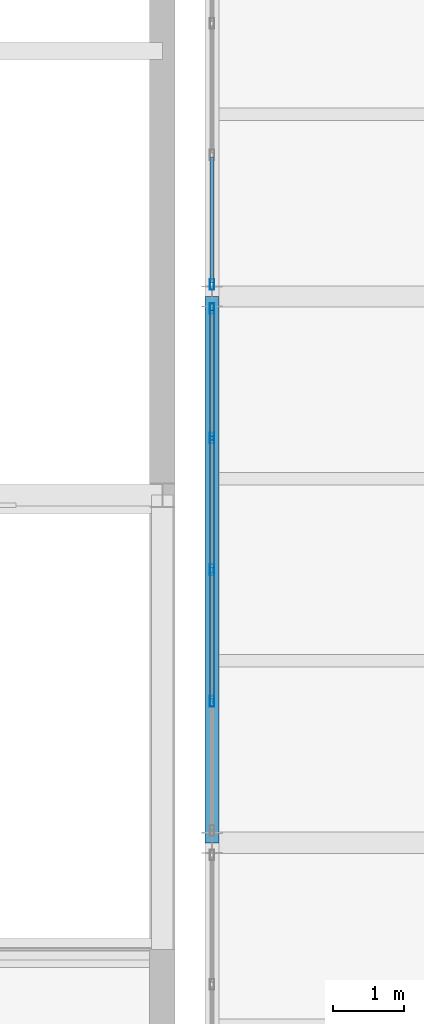
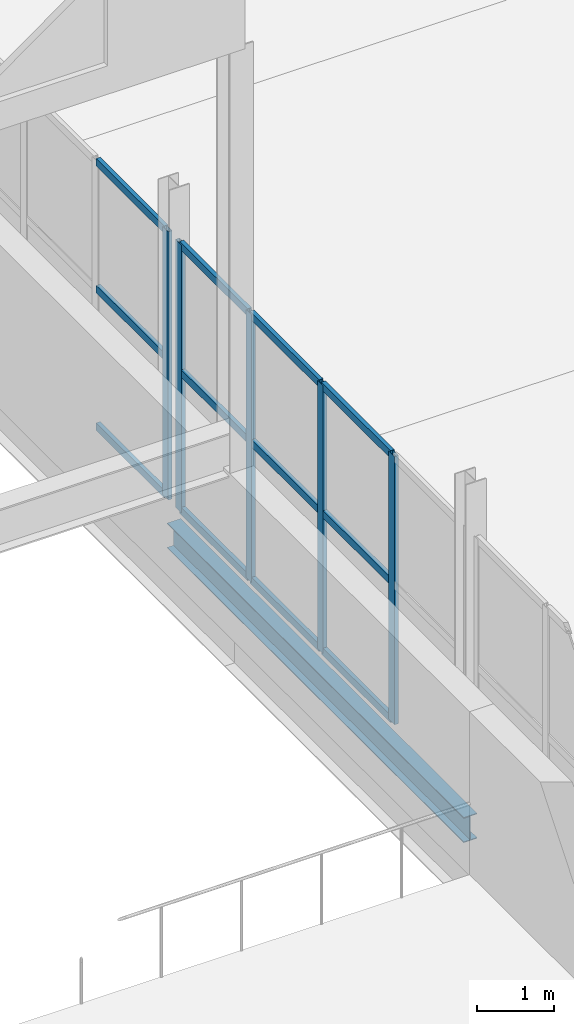
# One storey, part 122 of 218: 17 members, 1 beam, 2 elements without a shape of their own.
"""IFC4 building model written with IfcOpenShell, lengths in metres."""

from ifc_helpers import new_model, si_unit, direction, frame, origin, origin_2d, place, context, subcontext, project, spatial, hollow_rectangle, i_section, extrude, material, material_profile, profile_set, type_object, element, aggregate, save


model = new_model("IFC4")

# Units and contexts
model_context = context("Model", 3, precision=1e-05, world=origin(), true_north=direction((0.0, 1.0)))
body_context = subcontext(model_context, "Body", "Model", "MODEL_VIEW")
ifc_project = project(units=[si_unit("LENGTHUNIT", "METRE"), si_unit("AREAUNIT", "SQUARE_METRE"), si_unit("VOLUMEUNIT", "CUBIC_METRE"), si_unit("PLANEANGLEUNIT", "RADIAN"), si_unit("MASSUNIT", "GRAM", prefix="KILO")], contexts=[model_context])

# Site, building, storey
site_placement = place(None, origin())
site = spatial("IfcSite", under=ifc_project, at=site_placement, CompositionType="ELEMENT")
building_placement = place(site_placement, origin())
building = spatial("IfcBuilding", under=site, at=building_placement, Name="Kazenagashi Tramway Depot", CompositionType="ELEMENT")
storey_placement = place(building_placement, frame((0.0, 0.0, 6.0)))
storey = spatial("IfcBuildingStorey", under=building, at=storey_placement, Name="L02", CompositionType="ELEMENT", Elevation=6.0)

# Curtain wall, members
ifc_material_1 = material(Name="Anodised Aluminium and Low-E Glazing", Category="aluminium")
curtain_wall_type = type_object("IfcCurtainWallType", Name="CW-31", PredefinedType="USERDEFINED", material=ifc_material_1)
curtain_wall_1_placement = place(storey_placement, origin())
curtain_wall_1 = element("IfcCurtainWall", 1, at=curtain_wall_1_placement, inside=storey, type_object=curtain_wall_type, Name="Industrial Glazed Screen CW-31 CW-0165", ObjectType="GLAZED SCREEN", PredefinedType="USERDEFINED")
ifc_material_2 = material(Name="Anodised Aluminium", Category="aluminium")
ifc_material_profile_1 = material_profile(ifc_material_2, hollow_rectangle(XDim=0.06, YDim=0.15, WallThickness=0.004, at=origin_2d()), Name="RHS-150x60x4")
ifc_profile_set_1 = profile_set([ifc_material_profile_1], Name="Anodised Aluminium")
member_type_1 = type_object("IfcMemberType", Name="ML-01", PredefinedType="MULLION", material=ifc_profile_set_1)
member_1_placement = place(storey_placement, frame((146.3, 32.795, 0.0), z_axis=(0.0, 0.0, 1.0), x_axis=(-1.0, 0.0, 0.0)))
member_1 = element("IfcMember", 2, at=member_1_placement, type_object=member_type_1, Name="CW-31 mullion 2", PredefinedType="MULLION", context=body_context, shape_type="SweptSolid", body=[
    extrude(hollow_rectangle(XDim=0.06, YDim=0.15, WallThickness=0.004, at=origin_2d()), origin(), (0.0, 0.0, 1.0), 4.25),
])
member_2_placement = place(storey_placement, frame((146.3, 34.65, 0.0), z_axis=(0.0, 0.0, 1.0), x_axis=(-1.0, 0.0, 0.0)))
member_2 = element("IfcMember", 3, at=member_2_placement, type_object=member_type_1, Name="CW-31 mullion 3", PredefinedType="MULLION", context=body_context, shape_type="SweptSolid", body=[
    extrude(hollow_rectangle(XDim=0.06, YDim=0.15, WallThickness=0.004, at=origin_2d()), origin(), (0.0, 0.0, 1.0), 4.25),
])
member_3_placement = place(storey_placement, frame((146.3, 36.505, 0.0), z_axis=(0.0, 0.0, 1.0), x_axis=(-1.0, 0.0, 0.0)))
member_3 = element("IfcMember", 4, at=member_3_placement, type_object=member_type_1, Name="CW-31 mullion 4", PredefinedType="MULLION", context=body_context, shape_type="SweptSolid", body=[
    extrude(hollow_rectangle(XDim=0.06, YDim=0.15, WallThickness=0.004, at=origin_2d()), origin(), (0.0, 0.0, 1.0), 4.25),
])
member_4_placement = place(storey_placement, frame((146.3, 38.33, 0.0), z_axis=(0.0, 0.0, 1.0), x_axis=(-1.0, 0.0, 0.0)))
member_4 = element("IfcMember", 5, at=member_4_placement, type_object=member_type_1, Name="CW-31 mullion 5", PredefinedType="MULLION", context=body_context, shape_type="SweptSolid", body=[
    extrude(hollow_rectangle(XDim=0.06, YDim=0.15, WallThickness=0.004, at=origin_2d()), origin(), (0.0, 0.0, 1.0), 4.25),
])

# Curtain wall, member
curtain_wall_2_placement = place(storey_placement, origin())
curtain_wall_2 = element("IfcCurtainWall", 6, at=curtain_wall_2_placement, inside=storey, type_object=curtain_wall_type, Name="Industrial Glazed Screen CW-31 CW-0167", ObjectType="GLAZED SCREEN", PredefinedType="USERDEFINED")
member_5_placement = place(storey_placement, frame((146.3, 38.67, 0.0), z_axis=(0.0, 0.0, 1.0), x_axis=(-1.0, 0.0, 0.0)))
member_5 = element("IfcMember", 7, at=member_5_placement, type_object=member_type_1, Name="CW-31 mullion 1", PredefinedType="MULLION", context=body_context, shape_type="SweptSolid", body=[
    extrude(hollow_rectangle(XDim=0.06, YDim=0.15, WallThickness=0.004, at=origin_2d()), origin(), (0.0, 0.0, 1.0), 4.25),
])

# Beam
ifc_material_3 = material(Name="Steel SN490B", Category="steel")
ifc_material_profile_2 = material_profile(ifc_material_3, i_section(OverallWidth=0.2, OverallDepth=0.4, WebThickness=0.008, FlangeThickness=0.013, at=origin_2d()), Name="H-400x200x8x13")
ifc_profile_set_2 = profile_set([ifc_material_profile_2], Name="Steel SN490B")
beam_type = type_object("IfcBeamType", Name="SP-04", PredefinedType="SPANDREL", material=ifc_profile_set_2)
beam_placement = place(storey_placement, frame((146.3, 30.8, -0.48), z_axis=(0.0, 1.0, 0.0), x_axis=(-1.0, 0.0, 0.0)))
element("IfcBeam", 8, at=beam_placement, inside=storey, type_object=beam_type, Name="Beam SP-04 BM-1241", PredefinedType="SPANDREL", context=body_context, shape_type="SweptSolid", body=[
    extrude(i_section(OverallWidth=0.2, OverallDepth=0.4, WebThickness=0.008, FlangeThickness=0.013, at=origin_2d()), origin(), (0.0, 0.0, 1.0), 7.7),
])

# Member
ifc_material_profile_3 = material_profile(ifc_material_2, hollow_rectangle(XDim=0.06, YDim=0.12, WallThickness=0.004, at=origin_2d()), Name="RHS-120x60x4")
ifc_profile_set_3 = profile_set([ifc_material_profile_3], Name="Anodised Aluminium")
member_type_2 = type_object("IfcMemberType", Name="TR-01", PredefinedType="USERDEFINED", material=ifc_profile_set_3)
member_6_placement = place(storey_placement, frame((146.3, 32.825, 0.03), z_axis=(0.0, 1.0, 0.0), x_axis=(-1.0, 0.0, 0.0)))
member_6 = element("IfcMember", 9, at=member_6_placement, type_object=member_type_2, Name="CW-31 transom 2.1", ObjectType="TRANSOM", PredefinedType="USERDEFINED", context=body_context, shape_type="SweptSolid", body=[
    extrude(hollow_rectangle(XDim=0.06, YDim=0.12, WallThickness=0.004, at=origin_2d()), origin(), (0.0, 0.0, 1.0), 1.795),
])

member_7_placement = place(storey_placement, frame((146.3, 32.825, 2.21), z_axis=(0.0, 1.0, 0.0), x_axis=(-1.0, 0.0, 0.0)))
member_7 = element("IfcMember", 10, at=member_7_placement, type_object=member_type_2, Name="CW-31 transom 2.2", ObjectType="TRANSOM", PredefinedType="USERDEFINED", context=body_context, shape_type="SweptSolid", body=[
    extrude(hollow_rectangle(XDim=0.06, YDim=0.12, WallThickness=0.004, at=origin_2d()), origin(), (0.0, 0.0, 1.0), 1.795),
])

member_8_placement = place(storey_placement, frame((146.3, 32.825, 4.22), z_axis=(0.0, 1.0, 0.0), x_axis=(-1.0, 0.0, 0.0)))
member_8 = element("IfcMember", 11, at=member_8_placement, type_object=member_type_2, Name="CW-31 transom 2.3", ObjectType="TRANSOM", PredefinedType="USERDEFINED", context=body_context, shape_type="SweptSolid", body=[
    extrude(hollow_rectangle(XDim=0.06, YDim=0.12, WallThickness=0.004, at=origin_2d()), origin(), (0.0, 0.0, 1.0), 1.795),
])

member_9_placement = place(storey_placement, frame((146.3, 34.68, 0.03), z_axis=(0.0, 1.0, 0.0), x_axis=(-1.0, 0.0, 0.0)))
member_9 = element("IfcMember", 12, at=member_9_placement, type_object=member_type_2, Name="CW-31 transom 3.1", ObjectType="TRANSOM", PredefinedType="USERDEFINED", context=body_context, shape_type="SweptSolid", body=[
    extrude(hollow_rectangle(XDim=0.06, YDim=0.12, WallThickness=0.004, at=origin_2d()), origin(), (0.0, 0.0, 1.0), 1.795),
])

member_10_placement = place(storey_placement, frame((146.3, 34.68, 2.21), z_axis=(0.0, 1.0, 0.0), x_axis=(-1.0, 0.0, 0.0)))
member_10 = element("IfcMember", 13, at=member_10_placement, type_object=member_type_2, Name="CW-31 transom 3.2", ObjectType="TRANSOM", PredefinedType="USERDEFINED", context=body_context, shape_type="SweptSolid", body=[
    extrude(hollow_rectangle(XDim=0.06, YDim=0.12, WallThickness=0.004, at=origin_2d()), origin(), (0.0, 0.0, 1.0), 1.795),
])

member_11_placement = place(storey_placement, frame((146.3, 34.68, 4.22), z_axis=(0.0, 1.0, 0.0), x_axis=(-1.0, 0.0, 0.0)))
member_11 = element("IfcMember", 14, at=member_11_placement, type_object=member_type_2, Name="CW-31 transom 3.3", ObjectType="TRANSOM", PredefinedType="USERDEFINED", context=body_context, shape_type="SweptSolid", body=[
    extrude(hollow_rectangle(XDim=0.06, YDim=0.12, WallThickness=0.004, at=origin_2d()), origin(), (0.0, 0.0, 1.0), 1.795),
])

member_12_placement = place(storey_placement, frame((146.3, 36.535, 0.03), z_axis=(0.0, 1.0, 0.0), x_axis=(-1.0, 0.0, 0.0)))
member_12 = element("IfcMember", 15, at=member_12_placement, type_object=member_type_2, Name="CW-31 transom 4.1", ObjectType="TRANSOM", PredefinedType="USERDEFINED", context=body_context, shape_type="SweptSolid", body=[
    extrude(hollow_rectangle(XDim=0.06, YDim=0.12, WallThickness=0.004, at=origin_2d()), origin(), (0.0, 0.0, 1.0), 1.765),
])

member_13_placement = place(storey_placement, frame((146.3, 36.535, 2.21), z_axis=(0.0, 1.0, 0.0), x_axis=(-1.0, 0.0, 0.0)))
member_13 = element("IfcMember", 16, at=member_13_placement, type_object=member_type_2, Name="CW-31 transom 4.2", ObjectType="TRANSOM", PredefinedType="USERDEFINED", context=body_context, shape_type="SweptSolid", body=[
    extrude(hollow_rectangle(XDim=0.06, YDim=0.12, WallThickness=0.004, at=origin_2d()), origin(), (0.0, 0.0, 1.0), 1.765),
])

member_14_placement = place(storey_placement, frame((146.3, 36.535, 4.22), z_axis=(0.0, 1.0, 0.0), x_axis=(-1.0, 0.0, 0.0)))
member_14 = element("IfcMember", 17, at=member_14_placement, type_object=member_type_2, Name="CW-31 transom 4.3", ObjectType="TRANSOM", PredefinedType="USERDEFINED", context=body_context, shape_type="SweptSolid", body=[
    extrude(hollow_rectangle(XDim=0.06, YDim=0.12, WallThickness=0.004, at=origin_2d()), origin(), (0.0, 0.0, 1.0), 1.765),
])

aggregate(curtain_wall_1, [member_1, member_2, member_3, member_4, member_6, member_7, member_8, member_9, member_10, member_11, member_12, member_13, member_14])

member_15_placement = place(storey_placement, frame((146.3, 38.7, 0.03), z_axis=(0.0, 1.0, 0.0), x_axis=(-1.0, 0.0, 0.0)))
member_15 = element("IfcMember", 18, at=member_15_placement, type_object=member_type_2, Name="CW-31 transom 1.1", ObjectType="TRANSOM", PredefinedType="USERDEFINED", context=body_context, shape_type="SweptSolid", body=[
    extrude(hollow_rectangle(XDim=0.06, YDim=0.12, WallThickness=0.004, at=origin_2d()), origin(), (0.0, 0.0, 1.0), 1.765),
])

member_16_placement = place(storey_placement, frame((146.3, 38.7, 2.21), z_axis=(0.0, 1.0, 0.0), x_axis=(-1.0, 0.0, 0.0)))
member_16 = element("IfcMember", 19, at=member_16_placement, type_object=member_type_2, Name="CW-31 transom 1.2", ObjectType="TRANSOM", PredefinedType="USERDEFINED", context=body_context, shape_type="SweptSolid", body=[
    extrude(hollow_rectangle(XDim=0.06, YDim=0.12, WallThickness=0.004, at=origin_2d()), origin(), (0.0, 0.0, 1.0), 1.765),
])

member_17_placement = place(storey_placement, frame((146.3, 38.7, 4.22), z_axis=(0.0, 1.0, 0.0), x_axis=(-1.0, 0.0, 0.0)))
member_17 = element("IfcMember", 20, at=member_17_placement, type_object=member_type_2, Name="CW-31 transom 1.3", ObjectType="TRANSOM", PredefinedType="USERDEFINED", context=body_context, shape_type="SweptSolid", body=[
    extrude(hollow_rectangle(XDim=0.06, YDim=0.12, WallThickness=0.004, at=origin_2d()), origin(), (0.0, 0.0, 1.0), 1.765),
])

aggregate(curtain_wall_2, [member_5, member_15, member_16, member_17])

save(model, "model.ifc")
